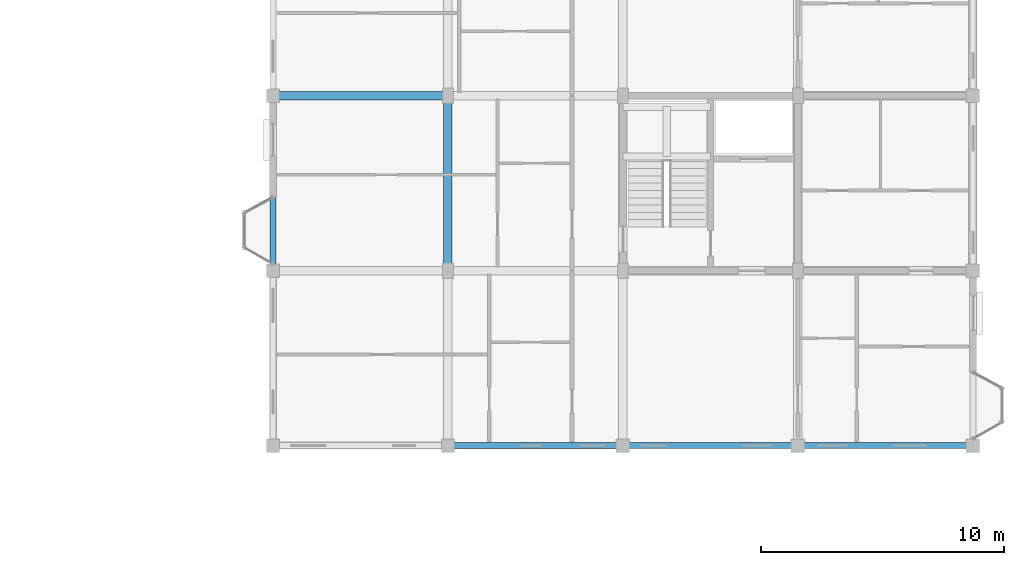
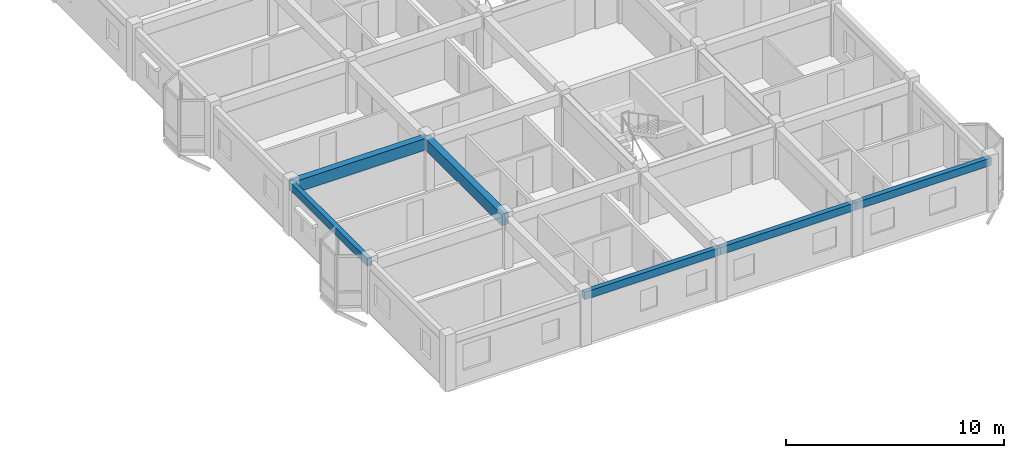
# One storey, part 22 of 77: 6 beams.
"""IFC4 building model written with IfcOpenShell, lengths in metres."""

import ifcopenshell
import ifcopenshell.guid

model = None  # the IFC model being written
_history = None  # IfcOwnerHistory: only IFC2X3 demands one
_inside = {}  # id of a spatial element -> (the spatial element, [elements in it])
_under = {}  # id of a project, library or spatial element -> (it, [spatial elements below it])
_declared = {}  # id of a project -> (the project, [libraries it declares])
_typed = {}  # id of a type object -> (the type object, [elements of that type])
_made_of = {}  # id of a material, layer set ... -> (it, [elements and type objects made of it])


def new_model(schema):
    """Start an empty IFC model of exactly this schema.

    Asked for "IFC4X3", IfcOpenShell would pick the latest addendum, in which some entities
    have other attributes; the version numbers below select the first issue.
    IFC2X3 requires an IfcOwnerHistory on every rooted entity: one is made here for all.
    """
    global model, _history
    if schema == "IFC4X3":
        model = ifcopenshell.file(schema_version=(4, 3, 0, 0))
    else:
        model = ifcopenshell.file(schema=schema)
    _inside.clear()
    _under.clear()
    _declared.clear()
    _typed.clear()
    _made_of.clear()
    _history = None
    if model.schema == "IFC2X3":
        org = make("IfcOrganization", Name="unknown")
        user = make(
            "IfcPersonAndOrganization",
            ThePerson=make("IfcPerson", FamilyName="unknown"),
            TheOrganization=org,
        )
        app = make(
            "IfcApplication",
            ApplicationDeveloper=org,
            Version="unknown",
            ApplicationFullName="unknown",
            ApplicationIdentifier="unknown",
        )
        _history = make(
            "IfcOwnerHistory",
            OwningUser=user,
            OwningApplication=app,
            ChangeAction="ADDED",
            CreationDate=0,
        )
    return model


def make(cls, **values):
    """One entity of the class cls with the attributes given. An attribute that is None is left unset."""
    return model.create_entity(
        cls, **{name: value for name, value in values.items() if value is not None}
    )


def rooted(cls, **values):
    """An entity with a GlobalId (a new one), such as an element, a storey or a relation."""
    return make(cls, GlobalId=ifcopenshell.guid.new(), OwnerHistory=_history, **values)


def si_unit(unit_type, name, prefix=None):
    """IfcSIUnit, for example si_unit("LENGTHUNIT", "METRE", prefix="MILLI")."""
    return make("IfcSIUnit", UnitType=unit_type, Prefix=prefix, Name=name)


def assignment(units):
    """IfcUnitAssignment: the units of a project."""
    return None if units is None else make("IfcUnitAssignment", Units=units)


def point(xyz):
    """IfcCartesianPoint."""
    return None if xyz is None else make("IfcCartesianPoint", Coordinates=xyz)


def direction(xyz):
    """IfcDirection."""
    return None if xyz is None else make("IfcDirection", DirectionRatios=xyz)


def frame(location, z_axis=None, x_axis=None):
    """IfcAxis2Placement3D, a coordinate frame: its origin and axes. An axis left out is left unset."""
    return make(
        "IfcAxis2Placement3D",
        Location=point(location),
        Axis=direction(z_axis),
        RefDirection=direction(x_axis),
    )


def frame_2d(location, x_axis=None):
    """IfcAxis2Placement2D, a coordinate frame in the plane: its origin and x axis."""
    return make(
        "IfcAxis2Placement2D", Location=point(location), RefDirection=direction(x_axis)
    )


def origin():
    """The frame at (0, 0, 0) with its axes left unset."""
    return frame((0.0, 0.0, 0.0))


def origin_2d():
    """The frame at (0, 0) in the plane with its x axis left unset."""
    return frame_2d((0.0, 0.0))


def place(relative_to, where):
    """IfcLocalPlacement: puts the frame where relative to a parent placement (None: the world)."""
    return make(
        "IfcLocalPlacement", PlacementRelTo=relative_to, RelativePlacement=where
    )


def context(
    kind, dimensions, precision=None, world=None, true_north=None, identifier=None
):
    """IfcGeometricRepresentationContext, for example the 3D "Model" context."""
    return make(
        "IfcGeometricRepresentationContext",
        ContextIdentifier=identifier,
        ContextType=kind,
        CoordinateSpaceDimension=dimensions,
        Precision=precision,
        WorldCoordinateSystem=world,
        TrueNorth=true_north,
    )


def subcontext(parent, identifier, kind, view, scale=None):
    """IfcGeometricRepresentationSubContext, for example "Body" below "Model"."""
    return make(
        "IfcGeometricRepresentationSubContext",
        ContextIdentifier=identifier,
        ContextType=kind,
        ParentContext=parent,
        TargetScale=scale,
        TargetView=view,
    )


def project(units=None, contexts=None):
    """IfcProject with its units and contexts."""
    return rooted(
        "IfcProject",
        Name="project",
        RepresentationContexts=contexts,
        UnitsInContext=assignment(units),
    )


def spatial(cls, under=None, at=None, **own):
    """A site, building, storey or space (cls), placed at a placement, below another one or the project."""
    s = rooted(cls, ObjectPlacement=at, **own)
    if under is not None:
        _under.setdefault(under.id(), (under, []))[1].append(s)
    return s


def profile(cls, at=None, kind="AREA", **sizes):
    """A parametric profile (cls). Its sizes go by their IFC names, for example OverallWidth=200.0."""
    return make(cls, ProfileType=kind, Position=at, **sizes)


def rectangle(**sizes):
    """IfcRectangleProfileDef."""
    return profile("IfcRectangleProfileDef", **sizes)


def extrude(swept, where, along, depth):
    """IfcExtrudedAreaSolid: the profile swept, set in the frame where, extruded along a direction by depth."""
    return make(
        "IfcExtrudedAreaSolid",
        SweptArea=swept,
        Position=where,
        ExtrudedDirection=direction(along),
        Depth=depth,
    )


def shape(context_of_items, identifier, shape_type, items):
    """IfcShapeRepresentation: the items that make up one representation, for example the "Body"."""
    return make(
        "IfcShapeRepresentation",
        ContextOfItems=context_of_items,
        RepresentationIdentifier=identifier,
        RepresentationType=shape_type,
        Items=items,
    )


def material(Name=None, Category=None):
    """IfcMaterial."""
    return make("IfcMaterial", Name=Name, Category=Category)


def material_profile(
    of_material, cross_section, Name=None, Category=None, Priority=None
):
    """IfcMaterialProfile: a cross section and its material."""
    return make(
        "IfcMaterialProfile",
        Name=Name,
        Material=of_material,
        Profile=cross_section,
        Priority=Priority,
        Category=Category,
    )


def profile_set(profiles, Name=None, composite=None):
    """IfcMaterialProfileSet."""
    return make(
        "IfcMaterialProfileSet",
        Name=Name,
        MaterialProfiles=profiles,
        CompositeProfile=composite,
    )


def made_of(thing, what):
    """Note that an element or type object is made of a material, layer set ...; save() writes the relation."""
    if what is not None:
        _made_of.setdefault(what.id(), (what, []))[1].append(thing)
    return thing


def type_object(cls, material=None, **own):
    """A type object (cls), such as IfcWallType, which elements share."""
    return made_of(rooted(cls, **own), material)


def element(
    cls,
    number,
    at=None,
    inside=None,
    cuts=None,
    type_object=None,
    material=None,
    context=None,
    identifier="Body",
    shape_type=None,
    held_by="IfcProductDefinitionShape",
    body=None,
    shapes=None,
    **own,
):
    """One element of the class cls, such as IfcWall. Its Tag is "e" and its number.

    at: its placement. inside: the storey or other place that contains it. cuts: it is an
    opening in that element (IfcRelVoidsElement). A single representation is given by context,
    identifier, shape_type and body (its items); several are given by shapes. held_by: the class
    of the entity that holds the representations. save() writes the other relations.
    """
    e = rooted(cls, Tag="e%d" % number, ObjectPlacement=at, **own)
    if body is not None:
        shapes = [shape(context, identifier, shape_type, body)]
    if shapes is not None:
        e.Representation = make(held_by, Representations=shapes)
    if inside is not None:
        _inside.setdefault(inside.id(), (inside, []))[1].append(e)
    if cuts is not None:
        rooted(
            "IfcRelVoidsElement", RelatingBuildingElement=cuts, RelatedOpeningElement=e
        )
    if type_object is not None:
        _typed.setdefault(type_object.id(), (type_object, []))[1].append(e)
    return made_of(e, material)


def aggregate(whole, parts):
    """IfcRelAggregates: a whole, such as a stair, and the parts it consists of."""
    return rooted("IfcRelAggregates", RelatingObject=whole, RelatedObjects=parts)


def save(model, path):
    """Write the relations noted so far, then the file.

    IfcRelAggregates (storeys below a building ...), IfcRelContainedInSpatialStructure (elements
    in a storey), IfcRelDefinesByType, IfcRelAssociatesMaterial and IfcRelDeclares: one each for
    every whole, place, type object, material and project.
    """
    for whole, parts in _under.values():
        aggregate(whole, parts)
    for where, things in _inside.values():
        rooted(
            "IfcRelContainedInSpatialStructure",
            RelatedElements=things,
            RelatingStructure=where,
        )
    for kind, things in _typed.values():
        rooted("IfcRelDefinesByType", RelatedObjects=things, RelatingType=kind)
    for what, things in _made_of.values():
        rooted("IfcRelAssociatesMaterial", RelatedObjects=things, RelatingMaterial=what)
    for by, libraries in _declared.values():
        rooted("IfcRelDeclares", RelatingContext=by, RelatedDefinitions=libraries)
    model.write(path)


model = new_model("IFC4")

# Units and contexts
model_context = context("Model", 3, precision=1e-05, world=origin(), true_north=direction((0.0, 1.0)))
body_context = subcontext(model_context, "Body", "Model", "MODEL_VIEW")
ifc_project = project(units=[si_unit("LENGTHUNIT", "METRE"), si_unit("AREAUNIT", "SQUARE_METRE"), si_unit("VOLUMEUNIT", "CUBIC_METRE"), si_unit("PLANEANGLEUNIT", "RADIAN"), si_unit("MASSUNIT", "GRAM", prefix="KILO"), si_unit("THERMODYNAMICTEMPERATUREUNIT", "KELVIN"), si_unit("POWERUNIT", "WATT")], contexts=[model_context])

# Site, building, storey
site_placement = place(None, origin())
site = spatial("IfcSite", under=ifc_project, at=site_placement, CompositionType="ELEMENT")
building_placement = place(site_placement, origin())
building = spatial("IfcBuilding", under=site, at=building_placement, Name="Tavuni Mirador Residences", CompositionType="ELEMENT")
storey_placement = place(building_placement, frame((0.0, 0.0, 10.800048828125)))
storey = spatial("IfcBuildingStorey", under=building, at=storey_placement, Name="L03", CompositionType="ELEMENT", Elevation=10.800048828125)

# Beams
ifc_material = material(Name="Precast concrete C40/50", Category="concrete")
ifc_material_profile_1 = material_profile(ifc_material, rectangle(XDim=0.35009765625, YDim=0.64990234375, at=origin_2d()), Name="PC 350x650", Category="concrete")
ifc_profile_set_1 = profile_set([ifc_material_profile_1], Name="Precast concrete C40/50")
beam_type_1 = type_object("IfcBeamType", Name="BT-B650", PredefinedType="BEAM", material=ifc_profile_set_1)
for number, where, z_axis, x_axis, name in (
    (1, (90.0, 100.800048828125, 2.56494140625), (1.0, 0.0, 0.0), (0.0, 1.0, 0.0), "BMX-BLK-D-L03-00-02"),
    (2, (97.199951171875, 93.60009765625, 2.56494140625), (0.0, 1.0, 0.0), (-1.0, 0.0, 0.0), "BMY-BLK-D-L03-01-01"),
):
    element("IfcBeam", number, at=place(storey_placement, frame(where, z_axis=z_axis, x_axis=x_axis)), inside=storey, type_object=beam_type_1, Name=name, PredefinedType="BEAM", context=body_context, shape_type="SweptSolid", body=[
        extrude(rectangle(XDim=0.35009765625, YDim=0.64990234375, at=origin_2d()), origin(), (0.0, 0.0, 1.0), 7.199951171875),
    ])
ifc_material_profile_2 = material_profile(ifc_material, rectangle(XDim=0.25, YDim=0.419921875, at=origin_2d()), Name="PC 250x420", Category="concrete")
ifc_profile_set_2 = profile_set([ifc_material_profile_2], Name="Precast concrete C40/50")
beam_type_2 = type_object("IfcBeamType", Name="BT-SP420", PredefinedType="SPANDREL", material=ifc_profile_set_2)
beam_1_placement = place(storey_placement, frame((97.199951171875, 86.39990234375, 2.679931640625), z_axis=(1.0, 0.0, 0.0), x_axis=(0.0, 1.0, 0.0)))
element("IfcBeam", 3, at=beam_1_placement, inside=storey, type_object=beam_type_2, Name="BMX-BLK-D-L03-01-00", PredefinedType="SPANDREL", context=body_context, shape_type="SweptSolid", body=[
    extrude(rectangle(XDim=0.25, YDim=0.419921875, at=origin_2d()), origin(), (0.0, 0.0, 1.0), 7.199951171875),
])
beam_2_placement = place(storey_placement, frame((104.39990234375, 86.39990234375, 2.679931640625), z_axis=(1.0, 0.0, 0.0), x_axis=(0.0, 1.0, 0.0)))
element("IfcBeam", 4, at=beam_2_placement, inside=storey, type_object=beam_type_2, Name="BMX-BLK-D-L03-02-00", PredefinedType="SPANDREL", context=body_context, shape_type="SweptSolid", body=[
    extrude(rectangle(XDim=0.25, YDim=0.419921875, at=origin_2d()), origin(), (0.0, 0.0, 1.0), 7.2001953125),
])
for number, where, z_axis, x_axis, name in (
    (5, (111.60009765625, 86.39990234375, 2.679931640625), (1.0, 0.0, 0.0), (0.0, 1.0, 0.0), "BMX-BLK-D-L03-03-00"),
    (6, (90.0, 93.60009765625, 2.679931640625), (0.0, 1.0, 0.0), (-1.0, 0.0, 0.0), "BMY-BLK-D-L03-00-01"),
):
    element("IfcBeam", number, at=place(storey_placement, frame(where, z_axis=z_axis, x_axis=x_axis)), inside=storey, type_object=beam_type_2, Name=name, PredefinedType="SPANDREL", context=body_context, shape_type="SweptSolid", body=[
        extrude(rectangle(XDim=0.25, YDim=0.419921875, at=origin_2d()), origin(), (0.0, 0.0, 1.0), 7.199951171875),
    ])

save(model, "model.ifc")
